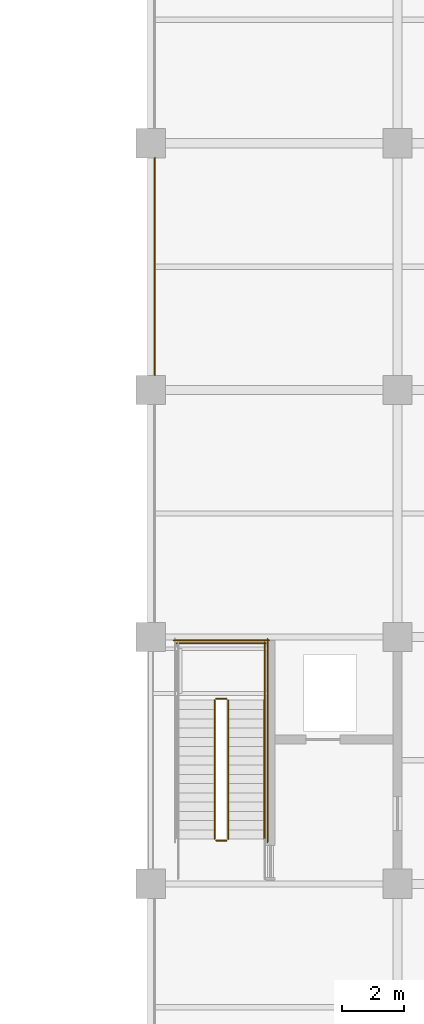
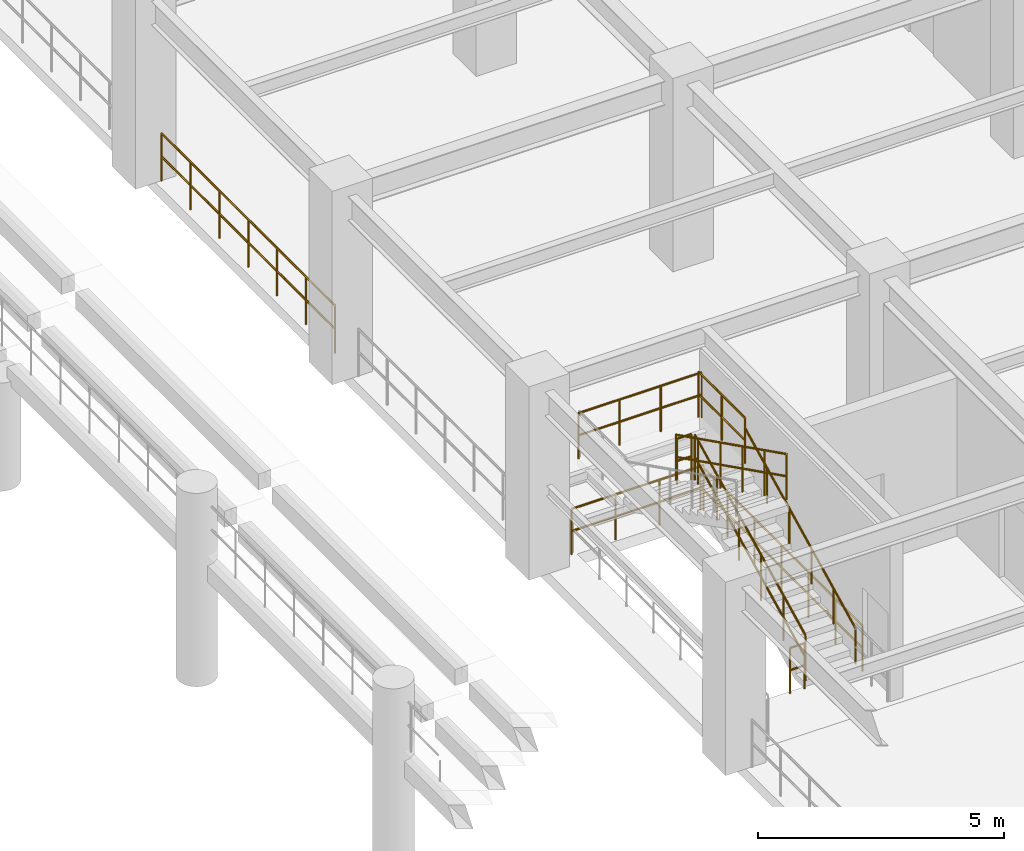
# One storey, part 102 of 109: 10 railings.
"""IFC4 building model written with IfcOpenShell, lengths in metres."""

import ifcopenshell
import ifcopenshell.guid

model = None  # the IFC model being written
_history = None  # IfcOwnerHistory: only IFC2X3 demands one
_inside = {}  # id of a spatial element -> (the spatial element, [elements in it])
_under = {}  # id of a project, library or spatial element -> (it, [spatial elements below it])
_declared = {}  # id of a project -> (the project, [libraries it declares])
_typed = {}  # id of a type object -> (the type object, [elements of that type])
_made_of = {}  # id of a material, layer set ... -> (it, [elements and type objects made of it])


def new_model(schema):
    """Start an empty IFC model of exactly this schema.

    Asked for "IFC4X3", IfcOpenShell would pick the latest addendum, in which some entities
    have other attributes; the version numbers below select the first issue.
    IFC2X3 requires an IfcOwnerHistory on every rooted entity: one is made here for all.
    """
    global model, _history
    if schema == "IFC4X3":
        model = ifcopenshell.file(schema_version=(4, 3, 0, 0))
    else:
        model = ifcopenshell.file(schema=schema)
    _inside.clear()
    _under.clear()
    _declared.clear()
    _typed.clear()
    _made_of.clear()
    _history = None
    if model.schema == "IFC2X3":
        org = make("IfcOrganization", Name="unknown")
        user = make(
            "IfcPersonAndOrganization",
            ThePerson=make("IfcPerson", FamilyName="unknown"),
            TheOrganization=org,
        )
        app = make(
            "IfcApplication",
            ApplicationDeveloper=org,
            Version="unknown",
            ApplicationFullName="unknown",
            ApplicationIdentifier="unknown",
        )
        _history = make(
            "IfcOwnerHistory",
            OwningUser=user,
            OwningApplication=app,
            ChangeAction="ADDED",
            CreationDate=0,
        )
    return model


def make(cls, **values):
    """One entity of the class cls with the attributes given. An attribute that is None is left unset."""
    return model.create_entity(
        cls, **{name: value for name, value in values.items() if value is not None}
    )


def rooted(cls, **values):
    """An entity with a GlobalId (a new one), such as an element, a storey or a relation."""
    return make(cls, GlobalId=ifcopenshell.guid.new(), OwnerHistory=_history, **values)


def si_unit(unit_type, name, prefix=None):
    """IfcSIUnit, for example si_unit("LENGTHUNIT", "METRE", prefix="MILLI")."""
    return make("IfcSIUnit", UnitType=unit_type, Prefix=prefix, Name=name)


def assignment(units):
    """IfcUnitAssignment: the units of a project."""
    return None if units is None else make("IfcUnitAssignment", Units=units)


def point(xyz):
    """IfcCartesianPoint."""
    return None if xyz is None else make("IfcCartesianPoint", Coordinates=xyz)


def direction(xyz):
    """IfcDirection."""
    return None if xyz is None else make("IfcDirection", DirectionRatios=xyz)


def frame(location, z_axis=None, x_axis=None):
    """IfcAxis2Placement3D, a coordinate frame: its origin and axes. An axis left out is left unset."""
    return make(
        "IfcAxis2Placement3D",
        Location=point(location),
        Axis=direction(z_axis),
        RefDirection=direction(x_axis),
    )


def frame_2d(location, x_axis=None):
    """IfcAxis2Placement2D, a coordinate frame in the plane: its origin and x axis."""
    return make(
        "IfcAxis2Placement2D", Location=point(location), RefDirection=direction(x_axis)
    )


def origin():
    """The frame at (0, 0, 0) with its axes left unset."""
    return frame((0.0, 0.0, 0.0))


def origin_2d():
    """The frame at (0, 0) in the plane with its x axis left unset."""
    return frame_2d((0.0, 0.0))


def place(relative_to, where):
    """IfcLocalPlacement: puts the frame where relative to a parent placement (None: the world)."""
    return make(
        "IfcLocalPlacement", PlacementRelTo=relative_to, RelativePlacement=where
    )


def context(
    kind, dimensions, precision=None, world=None, true_north=None, identifier=None
):
    """IfcGeometricRepresentationContext, for example the 3D "Model" context."""
    return make(
        "IfcGeometricRepresentationContext",
        ContextIdentifier=identifier,
        ContextType=kind,
        CoordinateSpaceDimension=dimensions,
        Precision=precision,
        WorldCoordinateSystem=world,
        TrueNorth=true_north,
    )


def subcontext(parent, identifier, kind, view, scale=None):
    """IfcGeometricRepresentationSubContext, for example "Body" below "Model"."""
    return make(
        "IfcGeometricRepresentationSubContext",
        ContextIdentifier=identifier,
        ContextType=kind,
        ParentContext=parent,
        TargetScale=scale,
        TargetView=view,
    )


def project(units=None, contexts=None):
    """IfcProject with its units and contexts."""
    return rooted(
        "IfcProject",
        Name="project",
        RepresentationContexts=contexts,
        UnitsInContext=assignment(units),
    )


def spatial(cls, under=None, at=None, **own):
    """A site, building, storey or space (cls), placed at a placement, below another one or the project."""
    s = rooted(cls, ObjectPlacement=at, **own)
    if under is not None:
        _under.setdefault(under.id(), (under, []))[1].append(s)
    return s


def profile(cls, at=None, kind="AREA", **sizes):
    """A parametric profile (cls). Its sizes go by their IFC names, for example OverallWidth=200.0."""
    return make(cls, ProfileType=kind, Position=at, **sizes)


def circle(**sizes):
    """IfcCircleProfileDef."""
    return profile("IfcCircleProfileDef", **sizes)


def extrude(swept, where, along, depth):
    """IfcExtrudedAreaSolid: the profile swept, set in the frame where, extruded along a direction by depth."""
    return make(
        "IfcExtrudedAreaSolid",
        SweptArea=swept,
        Position=where,
        ExtrudedDirection=direction(along),
        Depth=depth,
    )


def shape(context_of_items, identifier, shape_type, items):
    """IfcShapeRepresentation: the items that make up one representation, for example the "Body"."""
    return make(
        "IfcShapeRepresentation",
        ContextOfItems=context_of_items,
        RepresentationIdentifier=identifier,
        RepresentationType=shape_type,
        Items=items,
    )


def material(Name=None, Category=None):
    """IfcMaterial."""
    return make("IfcMaterial", Name=Name, Category=Category)


def made_of(thing, what):
    """Note that an element or type object is made of a material, layer set ...; save() writes the relation."""
    if what is not None:
        _made_of.setdefault(what.id(), (what, []))[1].append(thing)
    return thing


def type_object(cls, material=None, **own):
    """A type object (cls), such as IfcWallType, which elements share."""
    return made_of(rooted(cls, **own), material)


def element(
    cls,
    number,
    at=None,
    inside=None,
    cuts=None,
    type_object=None,
    material=None,
    context=None,
    identifier="Body",
    shape_type=None,
    held_by="IfcProductDefinitionShape",
    body=None,
    shapes=None,
    **own,
):
    """One element of the class cls, such as IfcWall. Its Tag is "e" and its number.

    at: its placement. inside: the storey or other place that contains it. cuts: it is an
    opening in that element (IfcRelVoidsElement). A single representation is given by context,
    identifier, shape_type and body (its items); several are given by shapes. held_by: the class
    of the entity that holds the representations. save() writes the other relations.
    """
    e = rooted(cls, Tag="e%d" % number, ObjectPlacement=at, **own)
    if body is not None:
        shapes = [shape(context, identifier, shape_type, body)]
    if shapes is not None:
        e.Representation = make(held_by, Representations=shapes)
    if inside is not None:
        _inside.setdefault(inside.id(), (inside, []))[1].append(e)
    if cuts is not None:
        rooted(
            "IfcRelVoidsElement", RelatingBuildingElement=cuts, RelatedOpeningElement=e
        )
    if type_object is not None:
        _typed.setdefault(type_object.id(), (type_object, []))[1].append(e)
    return made_of(e, material)


def aggregate(whole, parts):
    """IfcRelAggregates: a whole, such as a stair, and the parts it consists of."""
    return rooted("IfcRelAggregates", RelatingObject=whole, RelatedObjects=parts)


def save(model, path):
    """Write the relations noted so far, then the file.

    IfcRelAggregates (storeys below a building ...), IfcRelContainedInSpatialStructure (elements
    in a storey), IfcRelDefinesByType, IfcRelAssociatesMaterial and IfcRelDeclares: one each for
    every whole, place, type object, material and project.
    """
    for whole, parts in _under.values():
        aggregate(whole, parts)
    for where, things in _inside.values():
        rooted(
            "IfcRelContainedInSpatialStructure",
            RelatedElements=things,
            RelatingStructure=where,
        )
    for kind, things in _typed.values():
        rooted("IfcRelDefinesByType", RelatedObjects=things, RelatingType=kind)
    for what, things in _made_of.values():
        rooted("IfcRelAssociatesMaterial", RelatedObjects=things, RelatingMaterial=what)
    for by, libraries in _declared.values():
        rooted("IfcRelDeclares", RelatingContext=by, RelatedDefinitions=libraries)
    model.write(path)


model = new_model("IFC4")

# Units and contexts
model_context = context("Model", 3, precision=1e-05, world=origin(), true_north=direction((0.0, 1.0)))
body_context = subcontext(model_context, "Body", "Model", "MODEL_VIEW")
ifc_project = project(units=[si_unit("LENGTHUNIT", "METRE"), si_unit("AREAUNIT", "SQUARE_METRE"), si_unit("VOLUMEUNIT", "CUBIC_METRE"), si_unit("PLANEANGLEUNIT", "RADIAN"), si_unit("MASSUNIT", "GRAM", prefix="KILO")], contexts=[model_context])

# Site, building, storey
site_placement = place(None, origin())
site = spatial("IfcSite", under=ifc_project, at=site_placement, CompositionType="ELEMENT")
building_placement = place(site_placement, origin())
building = spatial("IfcBuilding", under=site, at=building_placement, Name="Haebicheon Civic Stadium", CompositionType="ELEMENT")
storey_placement = place(building_placement, frame((0.0, 0.0, 9.60009765625)))
storey = spatial("IfcBuildingStorey", under=building, at=storey_placement, Name="L03", CompositionType="ELEMENT", Elevation=9.60009765625)

# Railings
ifc_material_1 = material(Name="Stainless steel 316 and laminated glass", Category="steel")
railing_type_1 = type_object("IfcRailingType", Name="RL-BAL-1200", PredefinedType="BALUSTRADE", material=ifc_material_1)
railing_1_placement = place(storey_placement, frame((144.139892578125, 80.47509765625, 0.0)))
element("IfcRailing", 1, at=railing_1_placement, inside=storey, type_object=railing_type_1, material=ifc_material_1, Name="L03 concourse bowl-edge balustrade 075", PredefinedType="BALUSTRADE", context=body_context, shape_type="SweptSolid", body=[
    extrude(circle(Radius=0.02392578125, at=origin_2d()), frame((0.0, 0.0, 1.17578125), z_axis=(0.0, 1.0, 0.0), x_axis=(-1.0, 0.0, 0.0)), (0.0, 0.0, 1.0), 7.0498046875),
    extrude(circle(Radius=0.02392578125, at=origin_2d()), frame((0.0, 0.0, 0.60009765625), z_axis=(0.0, 1.0, 0.0), x_axis=(-1.0, 0.0, 0.0)), (0.0, 0.0, 1.0), 7.0498046875),
    extrude(circle(Radius=0.02099609375, at=origin_2d()), origin(), (0.0, 0.0, 1.0), 1.15185546875),
    extrude(circle(Radius=0.02099609375, at=origin_2d()), frame((0.0, 1.175048828125, 0.0)), (0.0, 0.0, 1.0), 1.15185546875),
    extrude(circle(Radius=0.02099609375, at=origin_2d()), frame((0.0, 2.349853515625, 0.0)), (0.0, 0.0, 1.0), 1.15185546875),
    extrude(circle(Radius=0.02099609375, at=origin_2d()), frame((0.0, 3.52490234375, 0.0)), (0.0, 0.0, 1.0), 1.15185546875),
    extrude(circle(Radius=0.02099609375, at=origin_2d()), frame((0.0, 4.699951171875, 0.0)), (0.0, 0.0, 1.0), 1.15185546875),
    extrude(circle(Radius=0.02099609375, at=origin_2d()), frame((0.0, 5.874755859375, 0.0)), (0.0, 0.0, 1.0), 1.15185546875),
    extrude(circle(Radius=0.02099609375, at=origin_2d()), frame((0.0, 7.0498046875, 0.0)), (0.0, 0.0, 1.0), 1.15185546875),
])
ifc_material_2 = material(Name="Galvanised painted steel SM355", Category="steel")
railing_type_2 = type_object("IfcRailingType", Name="RL-GRD-1150", PredefinedType="GUARDRAIL", material=ifc_material_2)
railing_2_placement = place(storey_placement, frame((146.510009765625, 65.449951171875, 0.14990234375)))
element("IfcRailing", 2, at=railing_2_placement, inside=storey, type_object=railing_type_2, material=ifc_material_2, Name="L03 ST-10 stair guard 1", PredefinedType="GUARDRAIL", context=body_context, shape_type="SweptSolid", body=[
    extrude(circle(Radius=0.02392578125, at=origin_2d()), frame((0.0, 0.0, 1.1259765625), z_axis=(0.0, 0.894427191, 0.4472135955), x_axis=(-1.0, 0.0, 0.0)), (0.0, 0.0, 1.0), 5.03125),
    extrude(circle(Radius=0.02392578125, at=origin_2d()), frame((0.0, 0.0, 0.574951171875), z_axis=(0.0, 0.894427191, 0.4472135955), x_axis=(-1.0, 0.0, 0.0)), (0.0, 0.0, 1.0), 5.03125),
    extrude(circle(Radius=0.02099609375, at=origin_2d()), origin(), (0.0, 0.0, 1.0), 1.101806640625),
    extrude(circle(Radius=0.02099609375, at=origin_2d()), frame((0.0, 0.89990234375, 0.449951171875)), (0.0, 0.0, 1.0), 1.101806640625),
    extrude(circle(Radius=0.02099609375, at=origin_2d()), frame((0.0, 1.800048828125, 0.89990234375)), (0.0, 0.0, 1.0), 1.101806640625),
    extrude(circle(Radius=0.02099609375, at=origin_2d()), frame((0.0, 2.699951171875, 1.35009765625)), (0.0, 0.0, 1.0), 1.101806640625),
    extrude(circle(Radius=0.02099609375, at=origin_2d()), frame((0.0, 3.60009765625, 1.800048828125)), (0.0, 0.0, 1.0), 1.101806640625),
    extrude(circle(Radius=0.02099609375, at=origin_2d()), frame((0.0, 4.5, 2.25)), (0.0, 0.0, 1.0), 1.101806640625),
])
railing_3_placement = place(storey_placement, frame((146.4599609375, 70.0, 2.39990234375)))
element("IfcRailing", 3, at=railing_3_placement, inside=storey, type_object=railing_type_2, material=ifc_material_2, Name="L03 ST-10 stair guard 2", PredefinedType="GUARDRAIL", context=body_context, shape_type="SweptSolid", body=[
    extrude(circle(Radius=0.02392578125, at=origin_2d()), frame((0.0, 0.0, 1.1259765625), z_axis=(-1.0, 0.0, 0.0), x_axis=(0.0, -1.0, 0.0)), (0.0, 0.0, 1.0), 0.33984375),
    extrude(circle(Radius=0.02392578125, at=origin_2d()), frame((0.0, 0.0, 0.574951171875), z_axis=(-1.0, 0.0, 0.0), x_axis=(0.0, -1.0, 0.0)), (0.0, 0.0, 1.0), 0.33984375),
    extrude(circle(Radius=0.02099609375, at=origin_2d()), origin(), (0.0, 0.0, 1.0), 1.101806640625),
    extrude(circle(Radius=0.02099609375, at=origin_2d()), frame((-0.33984375, 0.0, 0.0)), (0.0, 0.0, 1.0), 1.101806640625),
])
railing_4_placement = place(storey_placement, frame((147.68994140625, 69.949951171875, 2.39990234375)))
element("IfcRailing", 4, at=railing_4_placement, inside=storey, type_object=railing_type_2, material=ifc_material_2, Name="L03 ST-10 stair guard 3", PredefinedType="GUARDRAIL", context=body_context, shape_type="SweptSolid", body=[
    extrude(circle(Radius=0.02392578125, at=origin_2d()), frame((0.0, 0.0, 1.1259765625), z_axis=(0.0, 1.0, 0.0), x_axis=(-1.0, 0.0, 0.0)), (0.0, 0.0, 1.0), 1.89013671875),
    extrude(circle(Radius=0.02392578125, at=origin_2d()), frame((0.0, 0.0, 0.574951171875), z_axis=(0.0, 1.0, 0.0), x_axis=(-1.0, 0.0, 0.0)), (0.0, 0.0, 1.0), 1.89013671875),
    extrude(circle(Radius=0.02099609375, at=origin_2d()), origin(), (0.0, 0.0, 1.0), 1.101806640625),
    extrude(circle(Radius=0.02099609375, at=origin_2d()), frame((0.0, 0.945068359375, 0.0)), (0.0, 0.0, 1.0), 1.101806640625),
    extrude(circle(Radius=0.02099609375, at=origin_2d()), frame((0.0, 1.89013671875, 0.0)), (0.0, 0.0, 1.0), 1.101806640625),
])
railing_5_placement = place(storey_placement, frame((147.739990234375, 71.7900390625, 2.39990234375)))
element("IfcRailing", 5, at=railing_5_placement, inside=storey, type_object=railing_type_2, material=ifc_material_2, Name="L03 ST-10 stair guard 5", PredefinedType="GUARDRAIL", context=body_context, shape_type="SweptSolid", body=[
    extrude(circle(Radius=0.02392578125, at=origin_2d()), frame((0.0, 0.0, 1.1259765625), z_axis=(-1.0, 0.0, 0.0), x_axis=(0.0, -1.0, 0.0)), (0.0, 0.0, 1.0), 2.89990234375),
    extrude(circle(Radius=0.02392578125, at=origin_2d()), frame((0.0, 0.0, 0.574951171875), z_axis=(-1.0, 0.0, 0.0), x_axis=(0.0, -1.0, 0.0)), (0.0, 0.0, 1.0), 2.89990234375),
    extrude(circle(Radius=0.02099609375, at=origin_2d()), origin(), (0.0, 0.0, 1.0), 1.101806640625),
    extrude(circle(Radius=0.02099609375, at=origin_2d()), frame((-0.966552734375, 0.0, 0.0)), (0.0, 0.0, 1.0), 1.101806640625),
    extrude(circle(Radius=0.02099609375, at=origin_2d()), frame((-1.933349609375, 0.0, 0.0)), (0.0, 0.0, 1.0), 1.101806640625),
    extrude(circle(Radius=0.02099609375, at=origin_2d()), frame((-2.89990234375, 0.0, 0.0)), (0.0, 0.0, 1.0), 1.101806640625),
])
railing_6_placement = place(storey_placement, frame((146.070068359375, 69.949951171875, 2.5498046875)))
element("IfcRailing", 6, at=railing_6_placement, inside=storey, type_object=railing_type_2, material=ifc_material_2, Name="L03 ST-10 stair guard 6", PredefinedType="GUARDRAIL", context=body_context, shape_type="SweptSolid", body=[
    extrude(circle(Radius=0.02392578125, at=origin_2d()), frame((0.0, 0.0, 1.1259765625), z_axis=(0.0, -0.894427191, 0.4472135955), x_axis=(1.0, 0.0, 0.0)), (0.0, 0.0, 1.0), 5.03125),
    extrude(circle(Radius=0.02392578125, at=origin_2d()), frame((0.0, 0.0, 0.574951171875), z_axis=(0.0, -0.894427191, 0.4472135955), x_axis=(1.0, 0.0, 0.0)), (0.0, 0.0, 1.0), 5.03125),
    extrude(circle(Radius=0.02099609375, at=origin_2d()), origin(), (0.0, 0.0, 1.0), 1.101806640625),
    extrude(circle(Radius=0.02099609375, at=origin_2d()), frame((0.0, -0.89990234375, 0.449951171875)), (0.0, 0.0, 1.0), 1.101806640625),
    extrude(circle(Radius=0.02099609375, at=origin_2d()), frame((0.0, -1.800048828125, 0.89990234375)), (0.0, 0.0, 1.0), 1.101806640625),
    extrude(circle(Radius=0.02099609375, at=origin_2d()), frame((0.0, -2.699951171875, 1.35009765625)), (0.0, 0.0, 1.0), 1.101806640625),
    extrude(circle(Radius=0.02099609375, at=origin_2d()), frame((0.0, -3.60009765625, 1.800048828125)), (0.0, 0.0, 1.0), 1.101806640625),
    extrude(circle(Radius=0.02099609375, at=origin_2d()), frame((0.0, -4.5, 2.25)), (0.0, 0.0, 1.0), 1.101806640625),
])
railing_7_placement = place(storey_placement, frame((146.4599609375, 65.39990234375, 0.0)))
element("IfcRailing", 7, at=railing_7_placement, inside=storey, type_object=railing_type_2, material=ifc_material_2, Name="L03 ST-10 stair guard 7", PredefinedType="GUARDRAIL", context=body_context, shape_type="SweptSolid", body=[
    extrude(circle(Radius=0.02392578125, at=origin_2d()), frame((0.0, 0.0, 1.1259765625), z_axis=(-1.0, 0.0, 0.0), x_axis=(0.0, -1.0, 0.0)), (0.0, 0.0, 1.0), 0.33984375),
    extrude(circle(Radius=0.02392578125, at=origin_2d()), frame((0.0, 0.0, 0.574951171875), z_axis=(-1.0, 0.0, 0.0), x_axis=(0.0, -1.0, 0.0)), (0.0, 0.0, 1.0), 0.33984375),
    extrude(circle(Radius=0.02099609375, at=origin_2d()), origin(), (0.0, 0.0, 1.0), 1.101806640625),
    extrude(circle(Radius=0.02099609375, at=origin_2d()), frame((-0.33984375, 0.0, 0.0)), (0.0, 0.0, 1.0), 1.101806640625),
])
railing_8_placement = place(storey_placement, frame((147.7900390625, 65.35009765625, 0.0)))
element("IfcRailing", 8, at=railing_8_placement, inside=storey, type_object=railing_type_2, material=ifc_material_2, Name="L03 ST-10 stair guard 10", PredefinedType="GUARDRAIL", context=body_context, shape_type="SweptSolid", body=[
    extrude(circle(Radius=0.02392578125, at=origin_2d()), frame((0.0, 0.0, 1.1259765625), z_axis=(0.0, 1.0, 0.0), x_axis=(-1.0, 0.0, 0.0)), (0.0, 0.0, 1.0), 6.58984375),
    extrude(circle(Radius=0.02392578125, at=origin_2d()), frame((0.0, 0.0, 0.574951171875), z_axis=(0.0, 1.0, 0.0), x_axis=(-1.0, 0.0, 0.0)), (0.0, 0.0, 1.0), 6.58984375),
    extrude(circle(Radius=0.02099609375, at=origin_2d()), origin(), (0.0, 0.0, 1.0), 1.101806640625),
    extrude(circle(Radius=0.02099609375, at=origin_2d()), frame((0.0, 1.098388671875, 0.0)), (0.0, 0.0, 1.0), 1.101806640625),
    extrude(circle(Radius=0.02099609375, at=origin_2d()), frame((0.0, 2.196533203125, 0.0)), (0.0, 0.0, 1.0), 1.101806640625),
    extrude(circle(Radius=0.02099609375, at=origin_2d()), frame((0.0, 3.294921875, 0.0)), (0.0, 0.0, 1.0), 1.101806640625),
    extrude(circle(Radius=0.02099609375, at=origin_2d()), frame((0.0, 4.393310546875, 0.0)), (0.0, 0.0, 1.0), 1.101806640625),
    extrude(circle(Radius=0.02099609375, at=origin_2d()), frame((0.0, 5.491455078125, 0.0)), (0.0, 0.0, 1.0), 1.101806640625),
    extrude(circle(Radius=0.02099609375, at=origin_2d()), frame((0.0, 6.58984375, 0.0)), (0.0, 0.0, 1.0), 1.101806640625),
])
railing_9_placement = place(storey_placement, frame((147.840087890625, 71.889892578125, 0.0)))
element("IfcRailing", 9, at=railing_9_placement, inside=storey, type_object=railing_type_2, material=ifc_material_2, Name="L03 ST-10 stair guard 12", PredefinedType="GUARDRAIL", context=body_context, shape_type="SweptSolid", body=[
    extrude(circle(Radius=0.02392578125, at=origin_2d()), frame((0.0, 0.0, 1.1259765625), z_axis=(-1.0, 0.0, 0.0), x_axis=(0.0, -1.0, 0.0)), (0.0, 0.0, 1.0), 3.10009765625),
    extrude(circle(Radius=0.02392578125, at=origin_2d()), frame((0.0, 0.0, 0.574951171875), z_axis=(-1.0, 0.0, 0.0), x_axis=(0.0, -1.0, 0.0)), (0.0, 0.0, 1.0), 3.10009765625),
    extrude(circle(Radius=0.02099609375, at=origin_2d()), origin(), (0.0, 0.0, 1.0), 1.101806640625),
    extrude(circle(Radius=0.02099609375, at=origin_2d()), frame((-1.033447265625, 0.0, 0.0)), (0.0, 0.0, 1.0), 1.101806640625),
    extrude(circle(Radius=0.02099609375, at=origin_2d()), frame((-2.066650390625, 0.0, 0.0)), (0.0, 0.0, 1.0), 1.101806640625),
    extrude(circle(Radius=0.02099609375, at=origin_2d()), frame((-3.10009765625, 0.0, 0.0)), (0.0, 0.0, 1.0), 1.101806640625),
])
ifc_material_3 = material(Name="Stainless steel 316", Category="steel")
railing_type_3 = type_object("IfcRailingType", Name="RL-HND-900", PredefinedType="HANDRAIL", material=ifc_material_3)
railing_10_placement = place(storey_placement, frame((147.68994140625, 65.449951171875, 0.14990234375)))
element("IfcRailing", 10, at=railing_10_placement, inside=storey, type_object=railing_type_3, material=ifc_material_3, Name="L03 ST-10 stair handrail 1", PredefinedType="HANDRAIL", context=body_context, shape_type="SweptSolid", body=[
    extrude(circle(Radius=0.02392578125, at=origin_2d()), frame((0.0, 0.0, 0.8759765625), z_axis=(0.0, 0.894427191, 0.4472135955), x_axis=(-1.0, 0.0, 0.0)), (0.0, 0.0, 1.0), 5.03125),
    extrude(circle(Radius=0.02099609375, at=origin_2d()), origin(), (0.0, 0.0, 1.0), 0.851806640625),
    extrude(circle(Radius=0.02099609375, at=origin_2d()), frame((0.0, 0.89990234375, 0.449951171875)), (0.0, 0.0, 1.0), 0.851806640625),
    extrude(circle(Radius=0.02099609375, at=origin_2d()), frame((0.0, 1.800048828125, 0.89990234375)), (0.0, 0.0, 1.0), 0.851806640625),
    extrude(circle(Radius=0.02099609375, at=origin_2d()), frame((0.0, 2.699951171875, 1.35009765625)), (0.0, 0.0, 1.0), 0.851806640625),
    extrude(circle(Radius=0.02099609375, at=origin_2d()), frame((0.0, 3.60009765625, 1.800048828125)), (0.0, 0.0, 1.0), 0.851806640625),
    extrude(circle(Radius=0.02099609375, at=origin_2d()), frame((0.0, 4.5, 2.25)), (0.0, 0.0, 1.0), 0.851806640625),
])

save(model, "model.ifc")
